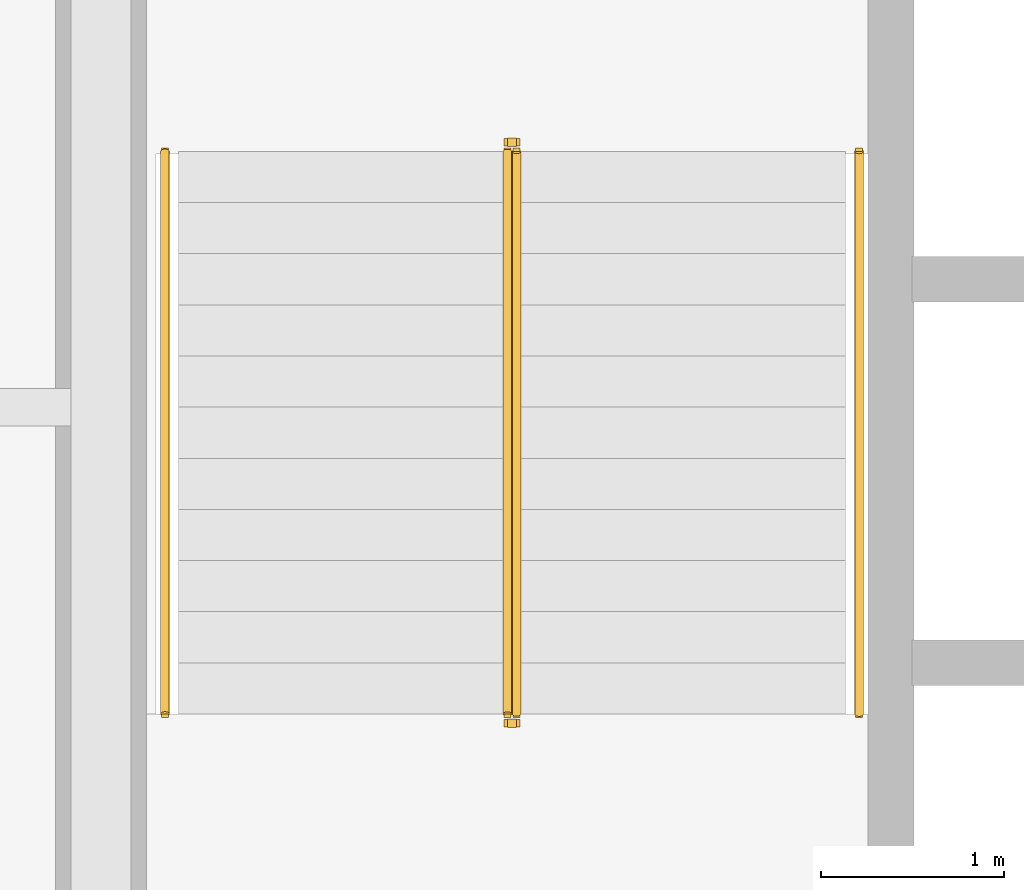
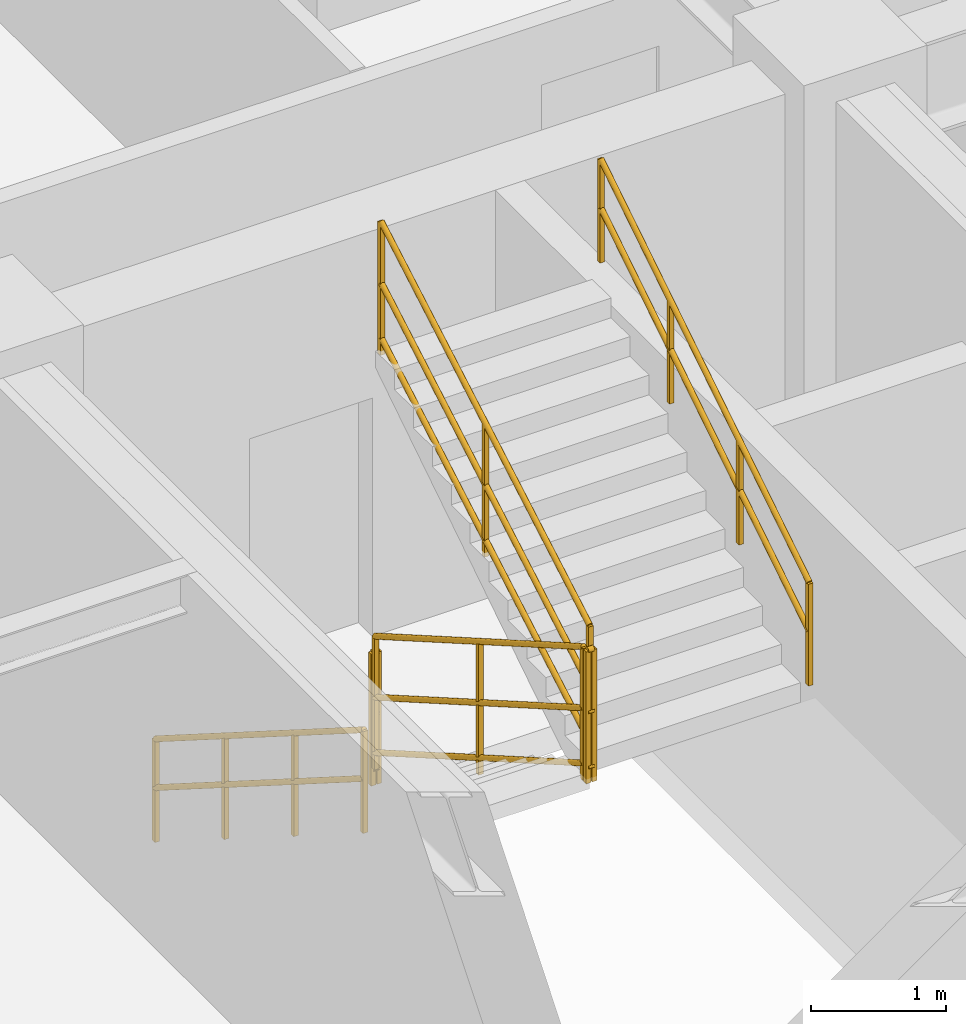
# One storey, part 10 of 10: 6 railings.
"""IFC4 building model written with IfcOpenShell, lengths in metres."""

from ifc_helpers import new_model, entity, si_unit, converted_unit, direction, frame, origin_with_axes, origin_2d_with_axis, place, context, subcontext, project, spatial, rectangle, circle, extrude, material, type_object, element, save


model = new_model("IFC4")

# Units and contexts
model_context = context("Model", 3, precision=1e-05, world=origin_with_axes(), true_north=direction((0.0, 1.0)))
body_context = subcontext(model_context, "Body", "Model", "MODEL_VIEW")
ifc_project = project(units=[si_unit("LENGTHUNIT", "METRE"), si_unit("AREAUNIT", "SQUARE_METRE"), si_unit("VOLUMEUNIT", "CUBIC_METRE"), converted_unit("PLANEANGLEUNIT", "DEGREE", entity("IfcPlaneAngleMeasure", 0.017453292519943295), si_unit("PLANEANGLEUNIT", "RADIAN"), dimensions=[0, 0, 0, 0, 0, 0, 0]), si_unit("MASSUNIT", "GRAM", prefix="KILO"), si_unit("THERMODYNAMICTEMPERATUREUNIT", "KELVIN")], contexts=[model_context])

# Site, building, storey
site_placement = place(None, origin_with_axes())
site = spatial("IfcSite", under=ifc_project, at=site_placement, CompositionType="ELEMENT")
building_placement = place(site_placement, origin_with_axes())
building = spatial("IfcBuilding", under=site, at=building_placement, Name="Varnlund Millrace Tower", CompositionType="ELEMENT")
storey_placement = place(building_placement, frame((0.0, 0.0, 171.9), z_axis=(0.0, 0.0, 1.0), x_axis=(1.0, 0.0, 0.0)))
storey = spatial("IfcBuildingStorey", under=building, at=storey_placement, Name="L42", CompositionType="ELEMENT", Elevation=171.9)

# Railings
ifc_material_1 = material(Name="Painted steel stair well balustrade guard", Category="steel")
railing_type_1 = type_object("IfcRailingType", Name="Type-StairGuard-1150", PredefinedType="GUARDRAIL", material=ifc_material_1)
railing_1_placement = place(storey_placement, frame((0.0, 0.0, -171.9), z_axis=(0.0, 0.0, 1.0), x_axis=(1.0, 0.0, 0.0)))
element("IfcRailing", 1, at=railing_1_placement, inside=storey, type_object=railing_type_1, Name="Type-StairGuard-1150", PredefinedType="GUARDRAIL", context=body_context, shape_type="SweptSolid", body=[
    extrude(circle(Radius=0.024, at=origin_2d_with_axis()), frame((13.625, 35.9, 173.227273), z_axis=(0.0, -0.866696, 0.498836), x_axis=(1.0, 0.0, 0.0)), (0.0, 0.0, 1.0), 3.553725),
    extrude(circle(Radius=0.024, at=origin_2d_with_axis()), frame((13.625, 35.9, 172.177273), z_axis=(0.0, -0.866696, 0.498836), x_axis=(1.0, 0.0, 0.0)), (0.0, 0.0, 1.0), 3.553725),
    extrude(circle(Radius=0.024, at=origin_2d_with_axis()), frame((13.625, 35.9, 172.675273), z_axis=(0.0, -0.866696, 0.498836), x_axis=(1.0, 0.0, 0.0)), (0.0, 0.0, 1.0), 3.553725),
    extrude(rectangle(XDim=0.04, YDim=0.04, at=origin_2d_with_axis()), frame((13.625, 35.9, 172.037273), z_axis=(0.0, 0.0, 1.0), x_axis=(1.0, 0.0, 0.0)), (0.0, 0.0, 1.0), 1.19),
    extrude(rectangle(XDim=0.04, YDim=0.04, at=origin_2d_with_axis()), frame((13.625, 34.36, 172.923637), z_axis=(0.0, 0.0, 1.0), x_axis=(1.0, 0.0, 0.0)), (0.0, 0.0, 1.0), 1.19),
    extrude(rectangle(XDim=0.04, YDim=0.04, at=origin_2d_with_axis()), frame((13.625, 32.82, 173.81), z_axis=(0.0, 0.0, 1.0), x_axis=(1.0, 0.0, 0.0)), (0.0, 0.0, 1.0), 1.19),
])
railing_2_placement = place(storey_placement, frame((0.0, 0.0, -171.9), z_axis=(0.0, 0.0, 1.0), x_axis=(1.0, 0.0, 0.0)))
element("IfcRailing", 2, at=railing_2_placement, inside=storey, type_object=railing_type_1, Name="Type-StairGuard-1150", PredefinedType="GUARDRAIL", context=body_context, shape_type="SweptSolid", body=[
    extrude(circle(Radius=0.024, at=origin_2d_with_axis()), frame((13.675, 32.77, 175.0), z_axis=(-1.0, 0.0, 0.0), x_axis=(0.0, -1.0, 0.0)), (0.0, 0.0, 1.0), 0.05),
    extrude(circle(Radius=0.024, at=origin_2d_with_axis()), frame((13.675, 32.77, 173.95), z_axis=(-1.0, 0.0, 0.0), x_axis=(0.0, -1.0, 0.0)), (0.0, 0.0, 1.0), 0.05),
    extrude(circle(Radius=0.024, at=origin_2d_with_axis()), frame((13.675, 32.77, 174.448), z_axis=(-1.0, 0.0, 0.0), x_axis=(0.0, -1.0, 0.0)), (0.0, 0.0, 1.0), 0.05),
    extrude(rectangle(XDim=0.04, YDim=0.04, at=origin_2d_with_axis()), frame((13.675, 32.77, 173.81), z_axis=(0.0, 0.0, 1.0), x_axis=(1.0, 0.0, 0.0)), (0.0, 0.0, 1.0), 1.19),
    extrude(rectangle(XDim=0.04, YDim=0.04, at=origin_2d_with_axis()), frame((13.625, 32.77, 173.81), z_axis=(0.0, 0.0, 1.0), x_axis=(1.0, 0.0, 0.0)), (0.0, 0.0, 1.0), 1.19),
])
railing_3_placement = place(storey_placement, frame((0.0, 0.0, -171.9), z_axis=(0.0, 0.0, 1.0), x_axis=(1.0, 0.0, 0.0)))
element("IfcRailing", 3, at=railing_3_placement, inside=storey, type_object=railing_type_1, Name="Type-StairGuard-1150", PredefinedType="GUARDRAIL", context=body_context, shape_type="SweptSolid", body=[
    extrude(circle(Radius=0.024, at=origin_2d_with_axis()), frame((13.675, 32.82, 175.177273), z_axis=(0.0, 0.866696, 0.498836), x_axis=(-1.0, 0.0, 0.0)), (0.0, 0.0, 1.0), 3.553725),
    extrude(circle(Radius=0.024, at=origin_2d_with_axis()), frame((13.675, 32.82, 174.127273), z_axis=(0.0, 0.866696, 0.498836), x_axis=(-1.0, 0.0, 0.0)), (0.0, 0.0, 1.0), 3.553725),
    extrude(circle(Radius=0.024, at=origin_2d_with_axis()), frame((13.675, 32.82, 174.625273), z_axis=(0.0, 0.866696, 0.498836), x_axis=(-1.0, 0.0, 0.0)), (0.0, 0.0, 1.0), 3.553725),
    extrude(rectangle(XDim=0.04, YDim=0.04, at=origin_2d_with_axis()), frame((13.675, 32.82, 173.987273), z_axis=(0.0, 0.0, 1.0), x_axis=(1.0, 0.0, 0.0)), (0.0, 0.0, 1.0), 1.19),
    extrude(rectangle(XDim=0.04, YDim=0.04, at=origin_2d_with_axis()), frame((13.675, 34.36, 174.873636), z_axis=(0.0, 0.0, 1.0), x_axis=(1.0, 0.0, 0.0)), (0.0, 0.0, 1.0), 1.19),
    extrude(rectangle(XDim=0.04, YDim=0.04, at=origin_2d_with_axis()), frame((13.675, 35.9, 175.76), z_axis=(0.0, 0.0, 1.0), x_axis=(1.0, 0.0, 0.0)), (0.0, 0.0, 1.0), 1.19),
])
railing_4_placement = place(storey_placement, frame((0.0, 0.0, -171.9), z_axis=(0.0, 0.0, 1.0), x_axis=(1.0, 0.0, 0.0)))
element("IfcRailing", 4, at=railing_4_placement, inside=storey, type_object=railing_type_1, Name="Type-StairGuard-1150", PredefinedType="GUARDRAIL", context=body_context, shape_type="SweptSolid", body=[
    extrude(circle(Radius=0.024, at=origin_2d_with_axis()), frame((13.675, 35.95, 173.05), z_axis=(-1.0, 0.0, 0.0), x_axis=(0.0, -1.0, 0.0)), (0.0, 0.0, 1.0), 0.05),
    extrude(circle(Radius=0.024, at=origin_2d_with_axis()), frame((13.675, 35.95, 172.0), z_axis=(-1.0, 0.0, 0.0), x_axis=(0.0, -1.0, 0.0)), (0.0, 0.0, 1.0), 0.05),
    extrude(circle(Radius=0.024, at=origin_2d_with_axis()), frame((13.675, 35.95, 172.498), z_axis=(-1.0, 0.0, 0.0), x_axis=(0.0, -1.0, 0.0)), (0.0, 0.0, 1.0), 0.05),
    extrude(rectangle(XDim=0.04, YDim=0.04, at=origin_2d_with_axis()), frame((13.675, 35.95, 171.86), z_axis=(0.0, 0.0, 1.0), x_axis=(1.0, 0.0, 0.0)), (0.0, 0.0, 1.0), 1.19),
    extrude(rectangle(XDim=0.04, YDim=0.04, at=origin_2d_with_axis()), frame((13.625, 35.95, 171.86), z_axis=(0.0, 0.0, 1.0), x_axis=(1.0, 0.0, 0.0)), (0.0, 0.0, 1.0), 1.19),
])
ifc_material_2 = material(Name="Brushed architectural bronze stair handrail", Category="aluminium")
railing_type_2 = type_object("IfcRailingType", Name="Type-StairHandrail-900", PredefinedType="HANDRAIL", material=ifc_material_2)
railing_5_placement = place(storey_placement, frame((0.0, 0.0, -171.9), z_axis=(0.0, 0.0, 1.0), x_axis=(1.0, 0.0, 0.0)))
element("IfcRailing", 5, at=railing_5_placement, inside=storey, type_object=railing_type_2, Name="Type-StairHandrail-900", PredefinedType="HANDRAIL", context=body_context, shape_type="SweptSolid", body=[
    extrude(circle(Radius=0.024, at=origin_2d_with_axis()), frame((11.75, 35.9, 172.956995), z_axis=(0.0, -0.844902, 0.534922), x_axis=(1.0, 0.0, 0.0)), (0.0, 0.0, 1.0), 3.645394),
    extrude(circle(Radius=0.024, at=origin_2d_with_axis()), frame((11.75, 35.9, 172.517134), z_axis=(0.0, -0.844902, 0.534922), x_axis=(1.0, 0.0, 0.0)), (0.0, 0.0, 1.0), 3.645394),
    extrude(rectangle(XDim=0.04, YDim=0.04, at=origin_2d_with_axis()), frame((11.75, 35.9, 172.037273), z_axis=(0.0, 0.0, 1.0), x_axis=(1.0, 0.0, 0.0)), (0.0, 0.0, 1.0), 0.919722),
    extrude(rectangle(XDim=0.04, YDim=0.04, at=origin_2d_with_axis()), frame((11.75, 34.873333, 172.687273), z_axis=(0.0, 0.0, 1.0), x_axis=(1.0, 0.0, 0.0)), (0.0, 0.0, 1.0), 0.919722),
    extrude(rectangle(XDim=0.04, YDim=0.04, at=origin_2d_with_axis()), frame((11.75, 33.846667, 173.337273), z_axis=(0.0, 0.0, 1.0), x_axis=(1.0, 0.0, 0.0)), (0.0, 0.0, 1.0), 0.919722),
    extrude(rectangle(XDim=0.04, YDim=0.04, at=origin_2d_with_axis()), frame((11.75, 32.82, 173.987273), z_axis=(0.0, 0.0, 1.0), x_axis=(1.0, 0.0, 0.0)), (0.0, 0.0, 1.0), 0.919722),
])
railing_6_placement = place(storey_placement, frame((0.0, 0.0, -171.9), z_axis=(0.0, 0.0, 1.0), x_axis=(1.0, 0.0, 0.0)))
element("IfcRailing", 6, at=railing_6_placement, inside=storey, type_object=railing_type_2, Name="Type-StairHandrail-900", PredefinedType="HANDRAIL", context=body_context, shape_type="SweptSolid", body=[
    extrude(circle(Radius=0.024, at=origin_2d_with_axis()), frame((15.55, 32.82, 174.906995), z_axis=(0.0, 0.844902, 0.534922), x_axis=(-1.0, 0.0, 0.0)), (0.0, 0.0, 1.0), 3.645394),
    extrude(circle(Radius=0.024, at=origin_2d_with_axis()), frame((15.55, 32.82, 174.467134), z_axis=(0.0, 0.844902, 0.534922), x_axis=(-1.0, 0.0, 0.0)), (0.0, 0.0, 1.0), 3.645394),
    extrude(rectangle(XDim=0.04, YDim=0.04, at=origin_2d_with_axis()), frame((15.55, 32.82, 173.987273), z_axis=(0.0, 0.0, 1.0), x_axis=(1.0, 0.0, 0.0)), (0.0, 0.0, 1.0), 0.919722),
    extrude(rectangle(XDim=0.04, YDim=0.04, at=origin_2d_with_axis()), frame((15.55, 33.846667, 174.637273), z_axis=(0.0, 0.0, 1.0), x_axis=(1.0, 0.0, 0.0)), (0.0, 0.0, 1.0), 0.919722),
    extrude(rectangle(XDim=0.04, YDim=0.04, at=origin_2d_with_axis()), frame((15.55, 34.873333, 175.287273), z_axis=(0.0, 0.0, 1.0), x_axis=(1.0, 0.0, 0.0)), (0.0, 0.0, 1.0), 0.919722),
    extrude(rectangle(XDim=0.04, YDim=0.04, at=origin_2d_with_axis()), frame((15.55, 35.9, 175.937273), z_axis=(0.0, 0.0, 1.0), x_axis=(1.0, 0.0, 0.0)), (0.0, 0.0, 1.0), 0.919722),
])

save(model, "model.ifc")
